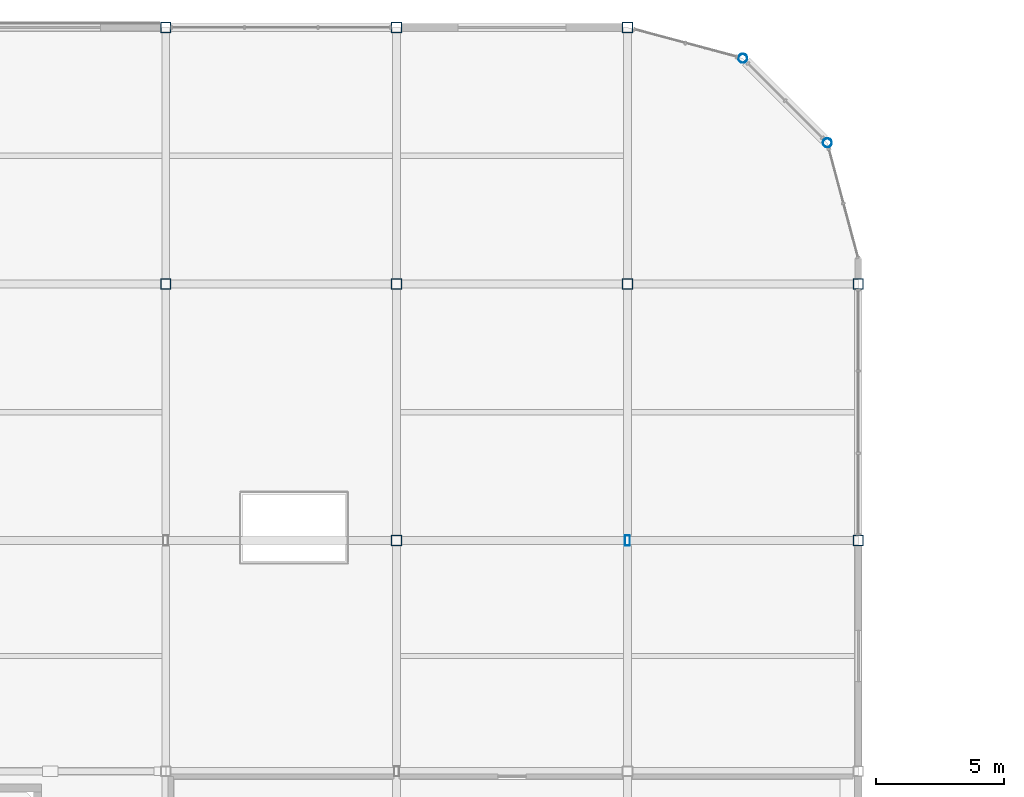
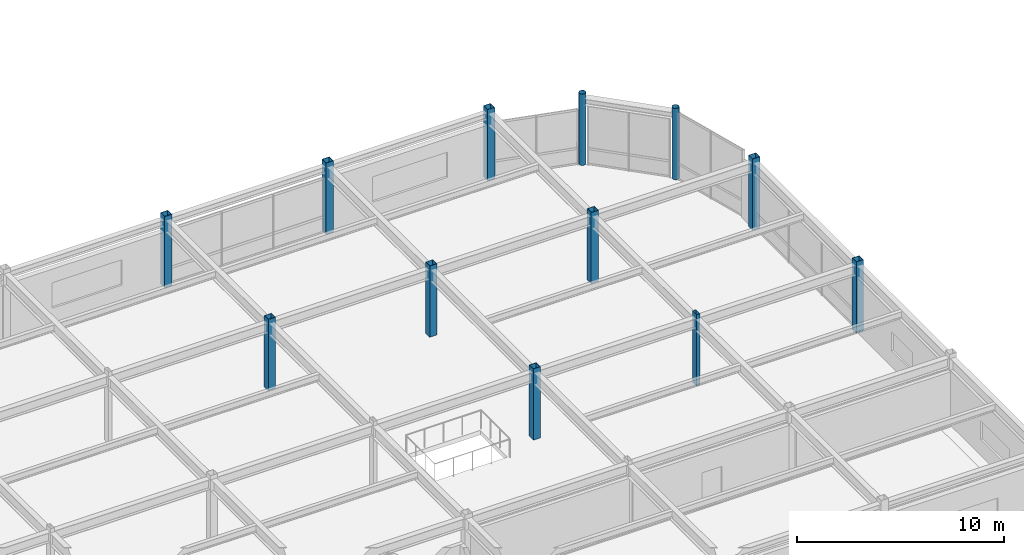
# One storey, part 16 of 108: 12 columns.
"""IFC4 building model written with IfcOpenShell, lengths in metres."""

import ifcopenshell
import ifcopenshell.guid

model = None  # the IFC model being written
_history = None  # IfcOwnerHistory: only IFC2X3 demands one
_inside = {}  # id of a spatial element -> (the spatial element, [elements in it])
_under = {}  # id of a project, library or spatial element -> (it, [spatial elements below it])
_declared = {}  # id of a project -> (the project, [libraries it declares])
_typed = {}  # id of a type object -> (the type object, [elements of that type])
_made_of = {}  # id of a material, layer set ... -> (it, [elements and type objects made of it])


def new_model(schema):
    """Start an empty IFC model of exactly this schema.

    Asked for "IFC4X3", IfcOpenShell would pick the latest addendum, in which some entities
    have other attributes; the version numbers below select the first issue.
    IFC2X3 requires an IfcOwnerHistory on every rooted entity: one is made here for all.
    """
    global model, _history
    if schema == "IFC4X3":
        model = ifcopenshell.file(schema_version=(4, 3, 0, 0))
    else:
        model = ifcopenshell.file(schema=schema)
    _inside.clear()
    _under.clear()
    _declared.clear()
    _typed.clear()
    _made_of.clear()
    _history = None
    if model.schema == "IFC2X3":
        org = make("IfcOrganization", Name="unknown")
        user = make(
            "IfcPersonAndOrganization",
            ThePerson=make("IfcPerson", FamilyName="unknown"),
            TheOrganization=org,
        )
        app = make(
            "IfcApplication",
            ApplicationDeveloper=org,
            Version="unknown",
            ApplicationFullName="unknown",
            ApplicationIdentifier="unknown",
        )
        _history = make(
            "IfcOwnerHistory",
            OwningUser=user,
            OwningApplication=app,
            ChangeAction="ADDED",
            CreationDate=0,
        )
    return model


def make(cls, **values):
    """One entity of the class cls with the attributes given. An attribute that is None is left unset."""
    return model.create_entity(
        cls, **{name: value for name, value in values.items() if value is not None}
    )


def rooted(cls, **values):
    """An entity with a GlobalId (a new one), such as an element, a storey or a relation."""
    return make(cls, GlobalId=ifcopenshell.guid.new(), OwnerHistory=_history, **values)


def si_unit(unit_type, name, prefix=None):
    """IfcSIUnit, for example si_unit("LENGTHUNIT", "METRE", prefix="MILLI")."""
    return make("IfcSIUnit", UnitType=unit_type, Prefix=prefix, Name=name)


def assignment(units):
    """IfcUnitAssignment: the units of a project."""
    return None if units is None else make("IfcUnitAssignment", Units=units)


def point(xyz):
    """IfcCartesianPoint."""
    return None if xyz is None else make("IfcCartesianPoint", Coordinates=xyz)


def direction(xyz):
    """IfcDirection."""
    return None if xyz is None else make("IfcDirection", DirectionRatios=xyz)


def frame(location, z_axis=None, x_axis=None):
    """IfcAxis2Placement3D, a coordinate frame: its origin and axes. An axis left out is left unset."""
    return make(
        "IfcAxis2Placement3D",
        Location=point(location),
        Axis=direction(z_axis),
        RefDirection=direction(x_axis),
    )


def frame_2d(location, x_axis=None):
    """IfcAxis2Placement2D, a coordinate frame in the plane: its origin and x axis."""
    return make(
        "IfcAxis2Placement2D", Location=point(location), RefDirection=direction(x_axis)
    )


def origin():
    """The frame at (0, 0, 0) with its axes left unset."""
    return frame((0.0, 0.0, 0.0))


def origin_2d():
    """The frame at (0, 0) in the plane with its x axis left unset."""
    return frame_2d((0.0, 0.0))


def place(relative_to, where):
    """IfcLocalPlacement: puts the frame where relative to a parent placement (None: the world)."""
    return make(
        "IfcLocalPlacement", PlacementRelTo=relative_to, RelativePlacement=where
    )


def context(
    kind, dimensions, precision=None, world=None, true_north=None, identifier=None
):
    """IfcGeometricRepresentationContext, for example the 3D "Model" context."""
    return make(
        "IfcGeometricRepresentationContext",
        ContextIdentifier=identifier,
        ContextType=kind,
        CoordinateSpaceDimension=dimensions,
        Precision=precision,
        WorldCoordinateSystem=world,
        TrueNorth=true_north,
    )


def subcontext(parent, identifier, kind, view, scale=None):
    """IfcGeometricRepresentationSubContext, for example "Body" below "Model"."""
    return make(
        "IfcGeometricRepresentationSubContext",
        ContextIdentifier=identifier,
        ContextType=kind,
        ParentContext=parent,
        TargetScale=scale,
        TargetView=view,
    )


def project(units=None, contexts=None):
    """IfcProject with its units and contexts."""
    return rooted(
        "IfcProject",
        Name="project",
        RepresentationContexts=contexts,
        UnitsInContext=assignment(units),
    )


def spatial(cls, under=None, at=None, **own):
    """A site, building, storey or space (cls), placed at a placement, below another one or the project."""
    s = rooted(cls, ObjectPlacement=at, **own)
    if under is not None:
        _under.setdefault(under.id(), (under, []))[1].append(s)
    return s


def profile(cls, at=None, kind="AREA", **sizes):
    """A parametric profile (cls). Its sizes go by their IFC names, for example OverallWidth=200.0."""
    return make(cls, ProfileType=kind, Position=at, **sizes)


def hollow_rectangle(**sizes):
    """IfcRectangleHollowProfileDef."""
    return profile("IfcRectangleHollowProfileDef", **sizes)


def hollow_circle(**sizes):
    """IfcCircleHollowProfileDef."""
    return profile("IfcCircleHollowProfileDef", **sizes)


def extrude(swept, where, along, depth):
    """IfcExtrudedAreaSolid: the profile swept, set in the frame where, extruded along a direction by depth."""
    return make(
        "IfcExtrudedAreaSolid",
        SweptArea=swept,
        Position=where,
        ExtrudedDirection=direction(along),
        Depth=depth,
    )


def shape(context_of_items, identifier, shape_type, items):
    """IfcShapeRepresentation: the items that make up one representation, for example the "Body"."""
    return make(
        "IfcShapeRepresentation",
        ContextOfItems=context_of_items,
        RepresentationIdentifier=identifier,
        RepresentationType=shape_type,
        Items=items,
    )


def material(Name=None, Category=None):
    """IfcMaterial."""
    return make("IfcMaterial", Name=Name, Category=Category)


def material_profile(
    of_material, cross_section, Name=None, Category=None, Priority=None
):
    """IfcMaterialProfile: a cross section and its material."""
    return make(
        "IfcMaterialProfile",
        Name=Name,
        Material=of_material,
        Profile=cross_section,
        Priority=Priority,
        Category=Category,
    )


def profile_set(profiles, Name=None, composite=None):
    """IfcMaterialProfileSet."""
    return make(
        "IfcMaterialProfileSet",
        Name=Name,
        MaterialProfiles=profiles,
        CompositeProfile=composite,
    )


def made_of(thing, what):
    """Note that an element or type object is made of a material, layer set ...; save() writes the relation."""
    if what is not None:
        _made_of.setdefault(what.id(), (what, []))[1].append(thing)
    return thing


def type_object(cls, material=None, **own):
    """A type object (cls), such as IfcWallType, which elements share."""
    return made_of(rooted(cls, **own), material)


def element(
    cls,
    number,
    at=None,
    inside=None,
    cuts=None,
    type_object=None,
    material=None,
    context=None,
    identifier="Body",
    shape_type=None,
    held_by="IfcProductDefinitionShape",
    body=None,
    shapes=None,
    **own,
):
    """One element of the class cls, such as IfcWall. Its Tag is "e" and its number.

    at: its placement. inside: the storey or other place that contains it. cuts: it is an
    opening in that element (IfcRelVoidsElement). A single representation is given by context,
    identifier, shape_type and body (its items); several are given by shapes. held_by: the class
    of the entity that holds the representations. save() writes the other relations.
    """
    e = rooted(cls, Tag="e%d" % number, ObjectPlacement=at, **own)
    if body is not None:
        shapes = [shape(context, identifier, shape_type, body)]
    if shapes is not None:
        e.Representation = make(held_by, Representations=shapes)
    if inside is not None:
        _inside.setdefault(inside.id(), (inside, []))[1].append(e)
    if cuts is not None:
        rooted(
            "IfcRelVoidsElement", RelatingBuildingElement=cuts, RelatedOpeningElement=e
        )
    if type_object is not None:
        _typed.setdefault(type_object.id(), (type_object, []))[1].append(e)
    return made_of(e, material)


def aggregate(whole, parts):
    """IfcRelAggregates: a whole, such as a stair, and the parts it consists of."""
    return rooted("IfcRelAggregates", RelatingObject=whole, RelatedObjects=parts)


def save(model, path):
    """Write the relations noted so far, then the file.

    IfcRelAggregates (storeys below a building ...), IfcRelContainedInSpatialStructure (elements
    in a storey), IfcRelDefinesByType, IfcRelAssociatesMaterial and IfcRelDeclares: one each for
    every whole, place, type object, material and project.
    """
    for whole, parts in _under.values():
        aggregate(whole, parts)
    for where, things in _inside.values():
        rooted(
            "IfcRelContainedInSpatialStructure",
            RelatedElements=things,
            RelatingStructure=where,
        )
    for kind, things in _typed.values():
        rooted("IfcRelDefinesByType", RelatedObjects=things, RelatingType=kind)
    for what, things in _made_of.values():
        rooted("IfcRelAssociatesMaterial", RelatedObjects=things, RelatingMaterial=what)
    for by, libraries in _declared.values():
        rooted("IfcRelDeclares", RelatingContext=by, RelatedDefinitions=libraries)
    model.write(path)


model = new_model("IFC4")

# Units and contexts
model_context = context("Model", 3, precision=1e-05, world=origin(), true_north=direction((0.0, 1.0)))
body_context = subcontext(model_context, "Body", "Model", "MODEL_VIEW")
ifc_project = project(units=[si_unit("LENGTHUNIT", "METRE"), si_unit("AREAUNIT", "SQUARE_METRE"), si_unit("VOLUMEUNIT", "CUBIC_METRE"), si_unit("PLANEANGLEUNIT", "RADIAN"), si_unit("MASSUNIT", "GRAM", prefix="KILO")], contexts=[model_context])

# Site, building, storey
site_placement = place(None, origin())
site = spatial("IfcSite", under=ifc_project, at=site_placement, CompositionType="ELEMENT")
building_placement = place(site_placement, origin())
building = spatial("IfcBuilding", under=site, at=building_placement, Name="Suzunagisa Mobility Hub", CompositionType="ELEMENT")
storey_placement = place(building_placement, frame((0.0, 0.0, 9.300048828125)))
storey = spatial("IfcBuildingStorey", under=building, at=storey_placement, Name="L02", CompositionType="ELEMENT", Elevation=9.300048828125)

# Columns
ifc_material = material(Name="Steel SN490B", Category="steel")
ifc_material_profile_1 = material_profile(ifc_material, hollow_rectangle(XDim=0.199951171875, YDim=0.39990234375, WallThickness=0.011962890625, at=origin_2d()), Name="RHS-400x200x12")
ifc_profile_set_1 = profile_set([ifc_material_profile_1], Name="Steel SN490B")
column_type_1 = type_object("IfcColumnType", Name="Steel Column CL-03 RHS-400x200x12", PredefinedType="COLUMN", material=ifc_profile_set_1)
column_placement = place(storey_placement, frame((117.0, 98.0, 0.0), z_axis=(0.0, 0.0, 1.0), x_axis=(1.0, 0.0, 0.0)))
element("IfcColumn", 1, at=column_placement, inside=storey, type_object=column_type_1, Name="L02 Column 217", PredefinedType="COLUMN", context=body_context, shape_type="SweptSolid", body=[
    extrude(hollow_rectangle(XDim=0.199951171875, YDim=0.39990234375, WallThickness=0.011962890625, at=origin_2d()), origin(), (0.0, 0.0, 1.0), 4.199951171875),
])
ifc_material_profile_2 = material_profile(ifc_material, hollow_rectangle(XDim=0.39990234375, YDim=0.39990234375, WallThickness=0.01904296875, at=origin_2d()), Name="BCR-400x400x19")
ifc_profile_set_2 = profile_set([ifc_material_profile_2], Name="Steel SN490B")
column_type_2 = type_object("IfcColumnType", Name="Steel Column CL-13 BCR-400x400x19", PredefinedType="COLUMN", material=ifc_profile_set_2)
for number, where, z_axis, x_axis, name in (
    (2, (99.0, 108.0, 0.0), (0.0, 0.0, 1.0), (1.0, 0.0, 0.0), "L02 Column 198"),
    (3, (99.0, 118.0, 0.0), (0.0, 0.0, 1.0), (1.0, 0.0, 0.0), "L02 Column 199"),
    (4, (108.0, 98.0, 0.0), (0.0, 0.0, 1.0), (1.0, 0.0, 0.0), "L02 Column 206"),
    (5, (108.0, 108.0, 0.0), (0.0, 0.0, 1.0), (1.0, 0.0, 0.0), "L02 Column 207"),
    (6, (108.0, 118.0, 0.0), (0.0, 0.0, 1.0), (1.0, 0.0, 0.0), "L02 Column 208"),
    (7, (117.0, 108.0, 0.0), (0.0, 0.0, 1.0), (1.0, 0.0, 0.0), "L02 Column 218"),
    (8, (117.0, 118.0, 0.0), (0.0, 0.0, 1.0), (1.0, 0.0, 0.0), "L02 Column 219"),
    (9, (126.0, 98.0, 0.0), (0.0, 0.0, 1.0), (1.0, 0.0, 0.0), "L02 Column 235"),
    (10, (126.0, 108.0, 0.0), (0.0, 0.0, 1.0), (1.0, 0.0, 0.0), "L02 Column 236"),
):
    element("IfcColumn", number, at=place(storey_placement, frame(where, z_axis=z_axis, x_axis=x_axis)), inside=storey, type_object=column_type_2, Name=name, PredefinedType="COLUMN", context=body_context, shape_type="SweptSolid", body=[
        extrude(hollow_rectangle(XDim=0.39990234375, YDim=0.39990234375, WallThickness=0.01904296875, at=origin_2d()), origin(), (0.0, 0.0, 1.0), 4.199951171875),
    ])
ifc_material_profile_3 = material_profile(ifc_material, hollow_circle(Radius=0.177734375, WallThickness=0.0126953125, at=origin_2d()), Name="CHS-355.6x12.7")
ifc_profile_set_3 = profile_set([ifc_material_profile_3], Name="Steel SN490B")
column_type_3 = type_object("IfcColumnType", Name="Steel Column CL-18 CHS-355.6x12.7", PredefinedType="COLUMN", material=ifc_profile_set_3)
for number, where, z_axis, x_axis, name in (
    (11, (121.5, 116.794189453125, 0.0), (0.0, 0.0, 1.0), (1.0, 0.0, 0.0), "L02 Column 223"),
    (12, (124.794189453125, 113.5, 0.0), (0.0, 0.0, 1.0), (1.0, 0.0, 0.0), "L02 Column 227"),
):
    element("IfcColumn", number, at=place(storey_placement, frame(where, z_axis=z_axis, x_axis=x_axis)), inside=storey, type_object=column_type_3, Name=name, PredefinedType="COLUMN", context=body_context, shape_type="SweptSolid", body=[
        extrude(hollow_circle(Radius=0.177734375, WallThickness=0.0126953125, at=origin_2d()), origin(), (0.0, 0.0, 1.0), 4.199951171875),
    ])

save(model, "model.ifc")
